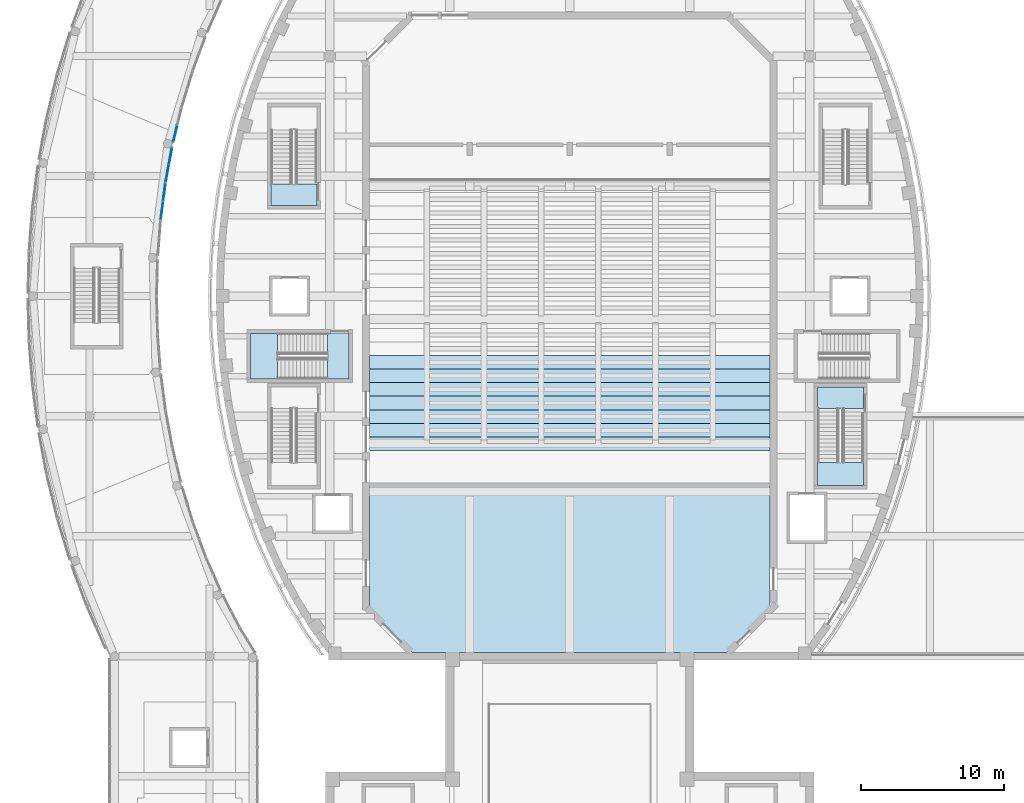
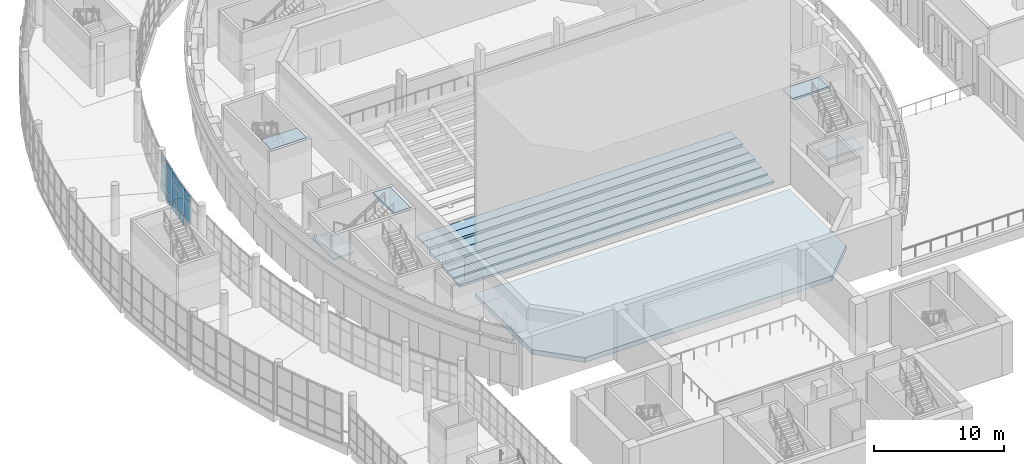
# One storey, part 48 of 119: 14 plates, 13 slabs, 6 elements without a shape of their own.
"""IFC4 building model written with IfcOpenShell, lengths in metres."""

from ifc_helpers import new_model, si_unit, direction, frame, origin, origin_2d, place, context, subcontext, project, spatial, polyline, rectangle, outline, extrude, material, layer, layer_set, type_object, element, aggregate, save


model = new_model("IFC4")

# Units and contexts
model_context = context("Model", 3, precision=1e-05, world=origin(), true_north=direction((0.0, 1.0)))
body_context = subcontext(model_context, "Body", "Model", "MODEL_VIEW")
ifc_project = project(units=[si_unit("LENGTHUNIT", "METRE"), si_unit("AREAUNIT", "SQUARE_METRE"), si_unit("VOLUMEUNIT", "CUBIC_METRE"), si_unit("PLANEANGLEUNIT", "RADIAN"), si_unit("MASSUNIT", "GRAM", prefix="KILO")], contexts=[model_context])

# Site, building, storey
site_placement = place(None, origin())
site = spatial("IfcSite", under=ifc_project, at=site_placement, CompositionType="ELEMENT")
building_placement = place(site_placement, origin())
building = spatial("IfcBuilding", under=site, at=building_placement, Name="Larchfold Concert Hall", CompositionType="ELEMENT")
storey_placement = place(building_placement, frame((0.0, 0.0, 4.800048828125)))
storey = spatial("IfcBuildingStorey", under=building, at=storey_placement, Name="L01", CompositionType="ELEMENT", Elevation=4.800048828125)

# Curtain wall, plates
ifc_material_1 = material(Name="Anodised graphite aluminium curtain wall", Category="aluminium")
ifc_layer_1 = layer(ifc_material_1, 0.14990234375)
ifc_layer_set_1 = layer_set([ifc_layer_1], Name="Anodised graphite aluminium curtain wall")
curtain_wall_type = type_object("IfcCurtainWallType", Name="Curtain wall WG", PredefinedType="NOTDEFINED", material=ifc_layer_set_1)
curtain_wall_1_placement = place(storey_placement, origin())
curtain_wall_1 = element("IfcCurtainWall", 1, at=curtain_wall_1_placement, inside=storey, type_object=curtain_wall_type, Name="Curtain wall CW0149", PredefinedType="NOTDEFINED")
ifc_material_2 = material(Name="Insulated glazing unit, glass", Category="glass")
ifc_layer_2 = layer(ifc_material_2, 0.028076171875)
ifc_layer_set_2 = layer_set([ifc_layer_2], Name="Insulated glazing unit, glass")
plate_type_1 = type_object("IfcPlateType", Name="Glass panel 28", PredefinedType="CURTAIN_PANEL", material=ifc_layer_set_2)
plate_1_placement = place(storey_placement, frame((14.062255859375, 90.591796875, 0.93994140625), z_axis=(0.0, 0.0, 1.0), x_axis=(0.129644480836, 0.991560542069, 0.0)))
plate_1 = element("IfcPlate", 2, at=plate_1_placement, type_object=plate_type_1, Name="CW0149 panel 1.2", PredefinedType="CURTAIN_PANEL", context=body_context, shape_type="SweptSolid", body=[
    extrude(rectangle(XDim=1.2431640625, YDim=0.028076171875, at=origin_2d()), origin(), (0.0, 0.0, 1.0), 1.719970703125),
])
plate_2_placement = place(storey_placement, frame((14.062255859375, 90.591796875, 2.740234375), z_axis=(0.0, 0.0, 1.0), x_axis=(0.129644480836, 0.991560542069, 0.0)))
plate_2 = element("IfcPlate", 3, at=plate_2_placement, type_object=plate_type_1, Name="CW0149 panel 1.3", PredefinedType="CURTAIN_PANEL", context=body_context, shape_type="SweptSolid", body=[
    extrude(rectangle(XDim=1.2431640625, YDim=0.028076171875, at=origin_2d()), origin(), (0.0, 0.0, 1.0), 0.929931640625),
])
plate_3_placement = place(storey_placement, frame((14.231201171875, 91.88427734375, 0.93994140625), z_axis=(0.0, 0.0, 1.0), x_axis=(0.129644480836, 0.991560542069, 0.0)))
plate_3 = element("IfcPlate", 4, at=plate_3_placement, type_object=plate_type_1, Name="CW0149 panel 2.2", PredefinedType="CURTAIN_PANEL", context=body_context, shape_type="SweptSolid", body=[
    extrude(rectangle(XDim=1.2431640625, YDim=0.028076171875, at=origin_2d()), origin(), (0.0, 0.0, 1.0), 1.719970703125),
])
plate_4_placement = place(storey_placement, frame((14.231201171875, 91.88427734375, 2.740234375), z_axis=(0.0, 0.0, 1.0), x_axis=(0.129644480836, 0.991560542069, 0.0)))
plate_4 = element("IfcPlate", 5, at=plate_4_placement, type_object=plate_type_1, Name="CW0149 panel 2.3", PredefinedType="CURTAIN_PANEL", context=body_context, shape_type="SweptSolid", body=[
    extrude(rectangle(XDim=1.2431640625, YDim=0.028076171875, at=origin_2d()), origin(), (0.0, 0.0, 1.0), 0.929931640625),
])

curtain_wall_2_placement = place(storey_placement, origin())
curtain_wall_2 = element("IfcCurtainWall", 6, at=curtain_wall_2_placement, inside=storey, type_object=curtain_wall_type, Name="Curtain wall CW0150", PredefinedType="NOTDEFINED")
plate_5_placement = place(storey_placement, frame((14.437744140625, 93.197021484375, 0.93994140625), z_axis=(0.0, 0.0, 1.0), x_axis=(0.182355148282, 0.983232729264, 0.0)))
plate_5 = element("IfcPlate", 7, at=plate_5_placement, type_object=plate_type_1, Name="CW0150 panel 1.2", PredefinedType="CURTAIN_PANEL", context=body_context, shape_type="SweptSolid", body=[
    extrude(rectangle(XDim=1.17578125, YDim=0.028076171875, at=origin_2d()), origin(), (0.0, 0.0, 1.0), 1.719970703125),
])
plate_6_placement = place(storey_placement, frame((14.437744140625, 93.197021484375, 2.740234375), z_axis=(0.0, 0.0, 1.0), x_axis=(0.182355148282, 0.983232729264, 0.0)))
plate_6 = element("IfcPlate", 8, at=plate_6_placement, type_object=plate_type_1, Name="CW0150 panel 1.3", PredefinedType="CURTAIN_PANEL", context=body_context, shape_type="SweptSolid", body=[
    extrude(rectangle(XDim=1.17578125, YDim=0.028076171875, at=origin_2d()), origin(), (0.0, 0.0, 1.0), 0.929931640625),
])
plate_7_placement = place(storey_placement, frame((14.6630859375, 94.412353515625, 0.93994140625), z_axis=(0.0, 0.0, 1.0), x_axis=(0.182355148282, 0.983232729264, 0.0)))
plate_7 = element("IfcPlate", 9, at=plate_7_placement, type_object=plate_type_1, Name="CW0150 panel 2.2", PredefinedType="CURTAIN_PANEL", context=body_context, shape_type="SweptSolid", body=[
    extrude(rectangle(XDim=1.17578125, YDim=0.028076171875, at=origin_2d()), origin(), (0.0, 0.0, 1.0), 1.719970703125),
])
plate_8_placement = place(storey_placement, frame((14.6630859375, 94.412353515625, 2.740234375), z_axis=(0.0, 0.0, 1.0), x_axis=(0.182355148282, 0.983232729264, 0.0)))
plate_8 = element("IfcPlate", 10, at=plate_8_placement, type_object=plate_type_1, Name="CW0150 panel 2.3", PredefinedType="CURTAIN_PANEL", context=body_context, shape_type="SweptSolid", body=[
    extrude(rectangle(XDim=1.17578125, YDim=0.028076171875, at=origin_2d()), origin(), (0.0, 0.0, 1.0), 0.929931640625),
])

curtain_wall_3_placement = place(storey_placement, origin())
curtain_wall_3 = element("IfcCurtainWall", 11, at=curtain_wall_3_placement, inside=storey, type_object=curtain_wall_type, Name="Curtain wall CW0151", PredefinedType="NOTDEFINED")
plate_9_placement = place(storey_placement, frame((14.99658203125, 95.968994140625, 0.93994140625), z_axis=(0.0, 0.0, 1.0), x_axis=(0.235963339363, 0.971761957722, 0.0)))
plate_9 = element("IfcPlate", 12, at=plate_9_placement, type_object=plate_type_1, Name="CW0151 panel 1.2", PredefinedType="CURTAIN_PANEL", context=body_context, shape_type="SweptSolid", body=[
    extrude(rectangle(XDim=1.169677734375, YDim=0.028076171875, at=origin_2d()), origin(), (0.0, 0.0, 1.0), 1.719970703125),
])
plate_10_placement = place(storey_placement, frame((14.99658203125, 95.968994140625, 2.740234375), z_axis=(0.0, 0.0, 1.0), x_axis=(0.235963339363, 0.971761957722, 0.0)))
plate_10 = element("IfcPlate", 13, at=plate_10_placement, type_object=plate_type_1, Name="CW0151 panel 1.3", PredefinedType="CURTAIN_PANEL", context=body_context, shape_type="SweptSolid", body=[
    extrude(rectangle(XDim=1.169677734375, YDim=0.028076171875, at=origin_2d()), origin(), (0.0, 0.0, 1.0), 0.929931640625),
])

# Plate
ifc_material_3 = material(Name="White insulated panel")
ifc_layer_3 = layer(ifc_material_3, 0.06005859375)
ifc_layer_set_3 = layer_set([ifc_layer_3], Name="White insulated panel")
plate_type_2 = type_object("IfcPlateType", Name="Insulated spandrel panel 60", PredefinedType="CURTAIN_PANEL", material=ifc_layer_set_3)
plate_11_placement = place(storey_placement, frame((14.231201171875, 91.88427734375, 0.080078125), z_axis=(0.0, 0.0, 1.0), x_axis=(0.129644480836, 0.991560542069, 0.0)))
plate_11 = element("IfcPlate", 14, at=plate_11_placement, type_object=plate_type_2, Name="CW0149 panel 2.1", PredefinedType="CURTAIN_PANEL", context=body_context, shape_type="SweptSolid", body=[
    extrude(rectangle(XDim=1.2431640625, YDim=0.06005859375, at=origin_2d()), origin(), (0.0, 0.0, 1.0), 0.77978515625),
])

aggregate(curtain_wall_1, [plate_1, plate_2, plate_11, plate_3, plate_4])

plate_12_placement = place(storey_placement, frame((14.437744140625, 93.197021484375, 0.080078125), z_axis=(0.0, 0.0, 1.0), x_axis=(0.182355148282, 0.983232729264, 0.0)))
plate_12 = element("IfcPlate", 15, at=plate_12_placement, type_object=plate_type_2, Name="CW0150 panel 1.1", PredefinedType="CURTAIN_PANEL", context=body_context, shape_type="SweptSolid", body=[
    extrude(rectangle(XDim=1.17578125, YDim=0.06005859375, at=origin_2d()), origin(), (0.0, 0.0, 1.0), 0.77978515625),
])

plate_13_placement = place(storey_placement, frame((14.6630859375, 94.412353515625, 0.080078125), z_axis=(0.0, 0.0, 1.0), x_axis=(0.182355148282, 0.983232729264, 0.0)))
plate_13 = element("IfcPlate", 16, at=plate_13_placement, type_object=plate_type_2, Name="CW0150 panel 2.1", PredefinedType="CURTAIN_PANEL", context=body_context, shape_type="SweptSolid", body=[
    extrude(rectangle(XDim=1.17578125, YDim=0.06005859375, at=origin_2d()), origin(), (0.0, 0.0, 1.0), 0.77978515625),
])

aggregate(curtain_wall_2, [plate_12, plate_5, plate_6, plate_13, plate_7, plate_8])

plate_14_placement = place(storey_placement, frame((14.99658203125, 95.968994140625, 0.080078125), z_axis=(0.0, 0.0, 1.0), x_axis=(0.235963339363, 0.971761957722, 0.0)))
plate_14 = element("IfcPlate", 17, at=plate_14_placement, type_object=plate_type_2, Name="CW0151 panel 1.1", PredefinedType="CURTAIN_PANEL", context=body_context, shape_type="SweptSolid", body=[
    extrude(rectangle(XDim=1.169677734375, YDim=0.06005859375, at=origin_2d()), origin(), (0.0, 0.0, 1.0), 0.77978515625),
])

aggregate(curtain_wall_3, [plate_14, plate_9, plate_10])

# Slabs
ifc_material_4 = material(Name="Precast concrete C40/50", Category="concrete")
ifc_layer_4 = layer(ifc_material_4, 0.219970703125)
ifc_layer_set_4 = layer_set([ifc_layer_4], Name="Precast concrete C40/50")
slab_type_1 = type_object("IfcSlabType", Name="Slab 220 hall tier tread", PredefinedType="FLOOR", material=ifc_layer_set_4)
slab_1_placement = place(storey_placement, frame((0.0, 0.0, -0.219970703125)))
element("IfcSlab", 18, at=slab_1_placement, inside=storey, type_object=slab_type_1, Name="Tread S01", PredefinedType="FLOOR", context=body_context, shape_type="SweptSolid", body=[
    extrude(outline(polyline([(56.60009765625, 74.75), (28.60009765625, 74.75), (28.60009765625, 73.800048828125), (56.60009765625, 73.800048828125), (56.60009765625, 74.75)])), origin(), (0.0, 0.0, 1.0), 0.219970703125),
])
slab_2_placement = place(storey_placement, frame((0.0, 0.0, -0.075927734375)))
element("IfcSlab", 19, at=slab_2_placement, inside=storey, type_object=slab_type_1, Name="Tread S02", PredefinedType="FLOOR", context=body_context, shape_type="SweptSolid", body=[
    extrude(outline(polyline([(56.60009765625, 75.699951171875), (28.60009765625, 75.699951171875), (28.60009765625, 74.75), (56.60009765625, 74.75), (56.60009765625, 75.699951171875)])), origin(), (0.0, 0.0, 1.0), 0.219970703125),
])
slab_3_placement = place(storey_placement, frame((0.0, 0.0, -0.052978515625)))
element("IfcSlab", 20, at=slab_3_placement, inside=storey, type_object=slab_type_1, Name="Tread S03", PredefinedType="FLOOR", context=body_context, shape_type="SweptSolid", body=[
    extrude(outline(polyline([(56.60009765625, 76.64990234375), (28.60009765625, 76.64990234375), (28.60009765625, 75.699951171875), (56.60009765625, 75.699951171875), (56.60009765625, 76.64990234375)])), origin(), (0.0, 0.0, 1.0), 0.219970703125),
])
slab_4_placement = place(storey_placement, frame((0.0, 0.0, 0.15087890625)))
element("IfcSlab", 21, at=slab_4_placement, inside=storey, type_object=slab_type_1, Name="Tread S04", PredefinedType="FLOOR", context=body_context, shape_type="SweptSolid", body=[
    extrude(outline(polyline([(56.60009765625, 77.60009765625), (28.60009765625, 77.60009765625), (28.60009765625, 76.64990234375), (56.60009765625, 76.64990234375), (56.60009765625, 77.60009765625)])), origin(), (0.0, 0.0, 1.0), 0.219970703125),
])
slab_5_placement = place(storey_placement, frame((0.0, 0.0, 0.161865234375)))
element("IfcSlab", 22, at=slab_5_placement, inside=storey, type_object=slab_type_1, Name="Tread S05", PredefinedType="FLOOR", context=body_context, shape_type="SweptSolid", body=[
    extrude(outline(polyline([(56.60009765625, 78.550048828125), (28.60009765625, 78.550048828125), (28.60009765625, 77.60009765625), (56.60009765625, 77.60009765625), (56.60009765625, 78.550048828125)])), origin(), (0.0, 0.0, 1.0), 0.219970703125),
])
slab_6_placement = place(storey_placement, frame((0.0, 0.0, 0.41796875)))
element("IfcSlab", 23, at=slab_6_placement, inside=storey, type_object=slab_type_1, Name="Tread S06", PredefinedType="FLOOR", context=body_context, shape_type="SweptSolid", body=[
    extrude(outline(polyline([(56.60009765625, 79.5), (28.60009765625, 79.5), (28.60009765625, 78.550048828125), (56.60009765625, 78.550048828125), (56.60009765625, 79.5)])), origin(), (0.0, 0.0, 1.0), 0.219970703125),
])
slab_7_placement = place(storey_placement, frame((0.0, 0.0, 0.41796875)))
element("IfcSlab", 24, at=slab_7_placement, inside=storey, type_object=slab_type_1, Name="Tread S07", PredefinedType="FLOOR", context=body_context, shape_type="SweptSolid", body=[
    extrude(outline(polyline([(56.60009765625, 80.449951171875), (28.60009765625, 80.449951171875), (28.60009765625, 79.5), (56.60009765625, 79.5), (56.60009765625, 80.449951171875)])), origin(), (0.0, 0.0, 1.0), 0.219970703125),
])
ifc_material_5 = material(Name="Concrete C35/45", Category="concrete")
ifc_layer_5 = layer(ifc_material_5, 0.449951171875)
ifc_layer_set_5 = layer_set([ifc_layer_5], Name="Concrete C35/45")
slab_type_2 = type_object("IfcSlabType", Name="Slab 450 hall floor", PredefinedType="FLOOR", material=ifc_layer_set_5)
slab_8_placement = place(storey_placement, frame((0.0, 0.0, 0.249755859375)))
element("IfcSlab", 25, at=slab_8_placement, inside=storey, type_object=slab_type_2, Name="Slab S0008", PredefinedType="FLOOR", context=body_context, shape_type="SweptSolid", body=[
    extrude(outline(polyline([(56.60009765625, 71.39990234375), (28.60009765625, 71.39990234375), (28.60009765625, 62.64990234375), (31.60009765625, 59.64990234375), (53.60009765625, 59.64990234375), (56.60009765625, 62.64990234375), (56.60009765625, 71.39990234375)])), origin(), (0.0, 0.0, 1.0), 0.4501953125),
])

# Stair, slab
ifc_material_6 = material(Name="Concrete C35/45", Category="concrete")
stair_type = type_object("IfcStairType", Name="Stair RC half-turn enclosed", PredefinedType="HALF_TURN_STAIR", material=ifc_material_6)
stair_1_placement = place(storey_placement, origin())
stair_1 = element("IfcStair", 26, at=stair_1_placement, inside=storey, type_object=stair_type, Name="Stair DS4", PredefinedType="HALF_TURN_STAIR")
ifc_material_7 = material(Name="Concrete C35/45", Category="concrete")
ifc_layer_6 = layer(ifc_material_7, 0.199951171875)
ifc_layer_set_6 = layer_set([ifc_layer_6], Name="Concrete C35/45")
slab_type_3 = type_object("IfcSlabType", Name="Stair landing RC 200", PredefinedType="LANDING", material=ifc_layer_set_6)
slab_9_placement = place(storey_placement, frame((0.0, 0.0, 4.599853515625)))
slab_9 = element("IfcSlab", 27, at=slab_9_placement, type_object=slab_type_3, Name="ST04 landing 2", PredefinedType="LANDING", context=body_context, shape_type="SweptSolid", body=[
    extrude(outline(polyline([(24.89990234375, 90.949951171875), (24.89990234375, 92.449951171875), (21.699951171875, 92.449951171875), (21.699951171875, 90.949951171875), (24.89990234375, 90.949951171875)])), origin(), (0.0, 0.0, 1.0), 0.2001953125),
])
aggregate(stair_1, [slab_9])

# Stair, slabs
stair_2_placement = place(storey_placement, origin())
stair_2 = element("IfcStair", 28, at=stair_2_placement, inside=storey, type_object=stair_type, Name="Stair DS6", PredefinedType="HALF_TURN_STAIR")
slab_10_placement = place(storey_placement, frame((0.0, 0.0, 2.199951171875)))
slab_10 = element("IfcSlab", 29, at=slab_10_placement, type_object=slab_type_3, Name="ST06 landing 1", PredefinedType="LANDING", context=body_context, shape_type="SweptSolid", body=[
    extrude(outline(polyline([(59.949951171875, 72.969970703125), (59.949951171875, 71.35009765625), (63.14990234375, 71.35009765625), (63.14990234375, 72.969970703125), (59.949951171875, 72.969970703125)])), origin(), (0.0, 0.0, 1.0), 0.199951171875),
])
slab_11_placement = place(storey_placement, frame((0.0, 0.0, 4.599853515625)))
slab_11 = element("IfcSlab", 30, at=slab_11_placement, type_object=slab_type_3, Name="ST06 landing 2", PredefinedType="LANDING", context=body_context, shape_type="SweptSolid", body=[
    extrude(outline(polyline([(59.949951171875, 78.25), (59.949951171875, 76.75), (63.14990234375, 76.75), (63.14990234375, 78.25), (59.949951171875, 78.25)])), origin(), (0.0, 0.0, 1.0), 0.2001953125),
])
aggregate(stair_2, [slab_10, slab_11])

stair_3_placement = place(storey_placement, origin())
stair_3 = element("IfcStair", 31, at=stair_3_placement, inside=storey, type_object=stair_type, Name="Stair DS7", PredefinedType="HALF_TURN_STAIR")
slab_12_placement = place(storey_placement, frame((0.0, 0.0, 2.199951171875)))
slab_12 = element("IfcSlab", 32, at=slab_12_placement, type_object=slab_type_3, Name="ST07 landing 1", PredefinedType="LANDING", context=body_context, shape_type="SweptSolid", body=[
    extrude(outline(polyline([(22.139892578125, 82.0), (20.25, 82.0), (20.25, 78.800048828125), (22.139892578125, 78.800048828125), (22.139892578125, 82.0)])), origin(), (0.0, 0.0, 1.0), 0.199951171875),
])
slab_13_placement = place(storey_placement, frame((0.0, 0.0, 4.599853515625)))
slab_13 = element("IfcSlab", 33, at=slab_13_placement, type_object=slab_type_3, Name="ST07 landing 2", PredefinedType="LANDING", context=body_context, shape_type="SweptSolid", body=[
    extrude(outline(polyline([(27.14990234375, 82.0), (25.64990234375, 82.0), (25.64990234375, 78.800048828125), (27.14990234375, 78.800048828125), (27.14990234375, 82.0)])), origin(), (0.0, 0.0, 1.0), 0.2001953125),
])
aggregate(stair_3, [slab_12, slab_13])

save(model, "model.ifc")
